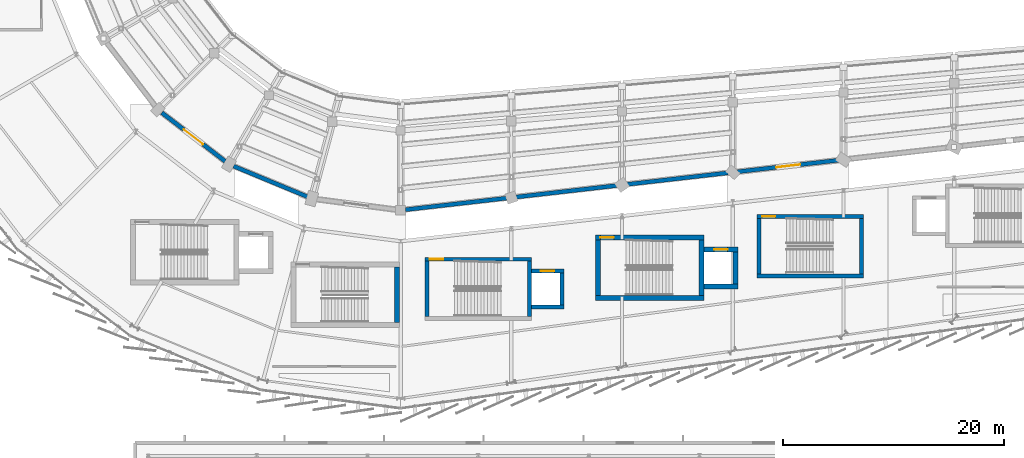
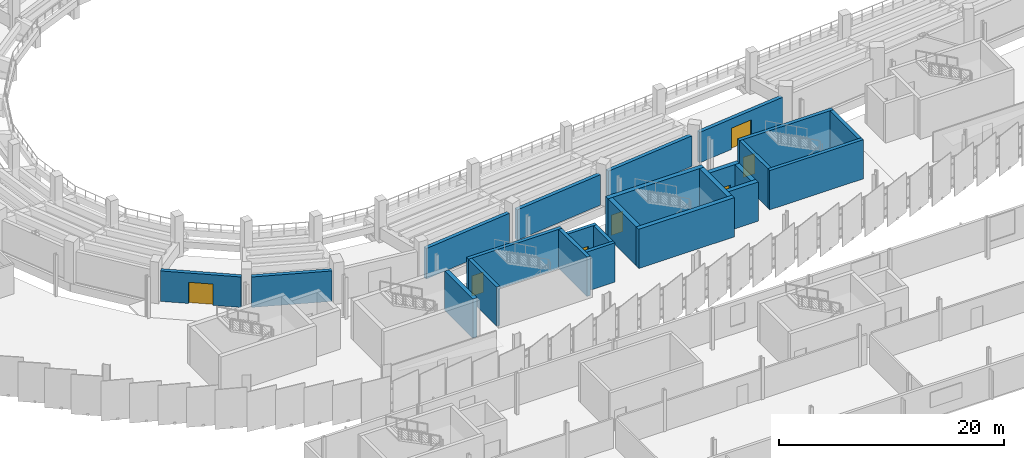
# One storey, part 100 of 120: 24 walls, 7 doors, 7 openings.
"""IFC4 building model written with IfcOpenShell, lengths in metres."""

from ifc_helpers import new_model, si_unit, direction, frame, frame_2d, origin, place, context, subcontext, project, spatial, rectangle, extrude, material, layer, layer_set, type_object, element, fill, save


model = new_model("IFC4")

# Units and contexts
model_context = context("Model", 3, precision=1e-05, world=origin(), true_north=direction((0.0, 1.0)))
body_context = subcontext(model_context, "Body", "Model", "MODEL_VIEW")
ifc_project = project(units=[si_unit("LENGTHUNIT", "METRE"), si_unit("AREAUNIT", "SQUARE_METRE"), si_unit("VOLUMEUNIT", "CUBIC_METRE"), si_unit("PLANEANGLEUNIT", "RADIAN"), si_unit("MASSUNIT", "GRAM", prefix="KILO")], contexts=[model_context])

# Site, building, storey
site_placement = place(None, origin())
site = spatial("IfcSite", under=ifc_project, at=site_placement, CompositionType="ELEMENT")
building_placement = place(site_placement, origin())
building = spatial("IfcBuilding", under=site, at=building_placement, Name="Sohan Crest Arena", CompositionType="ELEMENT")
storey_placement = place(building_placement, frame((0.0, 0.0, 13.5)))
storey = spatial("IfcBuildingStorey", under=building, at=storey_placement, Name="L03", CompositionType="ELEMENT", Elevation=13.5)

# Wall, opening, door
ifc_material_1 = material(Name="Acoustic insulated bowl drum enclosure wall", Category="masonry")
ifc_layer_1 = layer(ifc_material_1, 0.3701171875, Name="Acoustic insulated bowl drum enclosure wall")
ifc_layer_set_1 = layer_set([ifc_layer_1], Name="Acoustic insulated bowl drum enclosure wall")
wall_type_1 = type_object("IfcWallType", Name="WAL-EW05", PredefinedType="SOLIDWALL", material=ifc_layer_set_1)
wall_1_placement = place(storey_placement, frame((76.428955078125, 55.81201171875, 0.0), z_axis=(0.0, 0.0, 1.0), x_axis=(0.793318070515, -0.608807390719, 0.0)))
wall_1 = element("IfcWall", 1, at=wall_1_placement, inside=storey, type_object=wall_type_1, Name="Acoustic bowl drum wall BW-L03-10", PredefinedType="SOLIDWALL", context=body_context, shape_type="SweptSolid", body=[
    extrude(rectangle(XDim=7.212646484375, YDim=0.3701171875, at=frame_2d((3.6064453125, 0.0))), origin(), (0.0, 0.0, 1.0), 3.300048828125),
])
opening_1_placement = place(wall_1_placement, frame((2.506103515625, 0.0, 0.0)))
opening_1 = element("IfcOpeningElement", 2, at=opening_1_placement, cuts=wall_1, Name="Opening VD-L03-10", PredefinedType="OPENING", context=body_context, shape_type="SweptSolid", body=[
    extrude(rectangle(XDim=2.199951171875, YDim=2.300048828125, at=frame_2d((1.10009765625, 1.14990234375))), frame((0.0, 0.195068359375, 0.0), z_axis=(0.0, -1.0, 0.0), x_axis=(1.0, 0.0, 0.0)), (0.0, 0.0, 1.0), 0.39013671875),
])
ifc_material_2 = material(Name="Fire-rated steel double escape door", Category="steel")
door_type_1 = type_object("IfcDoorType", Name="DR-FD01", OperationType="DOUBLE_DOOR_SINGLE_SWING", PredefinedType="DOOR", material=ifc_material_2)
door_1_placement = place(opening_1_placement, origin())
door_1 = element("IfcDoor", 3, at=door_1_placement, inside=storey, type_object=door_type_1, Name="Bowl vomitory portal fire door VD-L03-10", OperationType="DOUBLE_DOOR_SINGLE_SWING", OverallHeight=2.300048828125, OverallWidth=2.199951171875, PredefinedType="DOOR", context=body_context, shape_type="SweptSolid", body=[
    extrude(rectangle(XDim=2.199951171875, YDim=2.300048828125, at=frame_2d((1.10009765625, 1.14990234375))), frame((0.0, 0.02490234375, 0.0), z_axis=(0.0, -1.0, 0.0), x_axis=(1.0, 0.0, 0.0)), (0.0, 0.0, 1.0), 0.050048828125),
])
fill(opening_1, door_1)

# Walls
wall_2_placement = place(storey_placement, frame((82.906982421875, 50.985107421875, 0.0), z_axis=(0.0, 0.0, 1.0), x_axis=(0.923828261086, -0.382807189089, 0.0)))
element("IfcWall", 4, at=wall_2_placement, inside=storey, type_object=wall_type_1, Name="Acoustic bowl drum wall BW-L03-11", PredefinedType="SOLIDWALL", context=body_context, shape_type="SweptSolid", body=[
    extrude(rectangle(XDim=7.21240234375, YDim=0.3701171875, at=frame_2d((3.606201171875, 0.0))), origin(), (0.0, 0.0, 1.0), 3.300048828125),
])
for number, where, z_axis, x_axis, name in (
    (5, (98.43701171875, 47.050048828125, 0.0), (0.0, 0.0, 1.0), (0.993532672656, 0.113546591161, 0.0), "Acoustic bowl drum wall BW-L03-13"),
    (6, (108.43701171875, 48.193115234375, 0.0), (0.0, 0.0, 1.0), (0.993532672656, 0.113546591161, 0.0), "Acoustic bowl drum wall BW-L03-14"),
    (7, (118.43701171875, 49.3359375, 0.0), (0.0, 0.0, 1.0), (0.993532672656, 0.113546591161, 0.0), "Acoustic bowl drum wall BW-L03-15"),
):
    element("IfcWall", number, at=place(storey_placement, frame(where, z_axis=z_axis, x_axis=x_axis)), inside=storey, type_object=wall_type_1, Name=name, PredefinedType="SOLIDWALL", context=body_context, shape_type="SweptSolid", body=[
        extrude(rectangle(XDim=9.185302734375, YDim=0.3701171875, at=frame_2d((4.5927734375, 0.0))), origin(), (0.0, 0.0, 1.0), 3.300048828125),
    ])

# Wall, opening, door
wall_3_placement = place(storey_placement, frame((128.43701171875, 50.47900390625, 0.0), z_axis=(0.0, 0.0, 1.0), x_axis=(0.993544661122, 0.113441642955, 0.0)))
wall_3 = element("IfcWall", 8, at=wall_3_placement, inside=storey, type_object=wall_type_1, Name="Acoustic bowl drum wall BW-L03-16", PredefinedType="SOLIDWALL", context=body_context, shape_type="SweptSolid", body=[
    extrude(rectangle(XDim=9.185302734375, YDim=0.3701171875, at=frame_2d((4.5927734375, 0.0))), origin(), (0.0, 0.0, 1.0), 3.300048828125),
])
opening_2_placement = place(wall_3_placement, frame((3.492919921875, 0.0, 0.0)))
opening_2 = element("IfcOpeningElement", 9, at=opening_2_placement, cuts=wall_3, Name="Opening VD-L03-16", PredefinedType="OPENING", context=body_context, shape_type="SweptSolid", body=[
    extrude(rectangle(XDim=2.199951171875, YDim=2.300048828125, at=frame_2d((1.10009765625, 1.14990234375))), frame((0.0, 0.195068359375, 0.0), z_axis=(0.0, -1.0, 0.0), x_axis=(1.0, 0.0, 0.0)), (0.0, 0.0, 1.0), 0.39013671875),
])
door_2_placement = place(opening_2_placement, origin())
door_2 = element("IfcDoor", 10, at=door_2_placement, inside=storey, type_object=door_type_1, Name="Bowl vomitory portal fire door VD-L03-16", OperationType="DOUBLE_DOOR_SINGLE_SWING", OverallHeight=2.300048828125, OverallWidth=2.199951171875, PredefinedType="DOOR", context=body_context, shape_type="SweptSolid", body=[
    extrude(rectangle(XDim=2.199951171875, YDim=2.300048828125, at=frame_2d((1.10009765625, 1.14990234375))), frame((0.0, 0.02490234375, 0.0), z_axis=(0.0, -1.0, 0.0), x_axis=(1.0, 0.0, 0.0)), (0.0, 0.0, 1.0), 0.050048828125),
])
fill(opening_2, door_2)

# Walls
ifc_material_3 = material(Name="Concrete C40/50", Category="concrete")
ifc_layer_2 = layer(ifc_material_3, 0.35009765625, Name="Concrete C40/50")
ifc_layer_set_2 = layer_set([ifc_layer_2], Name="Concrete C40/50")
wall_type_2 = type_object("IfcWallType", Name="WAL-SW02", PredefinedType="SHEAR", material=ifc_layer_set_2)
for number, where, z_axis, x_axis, name in (
    (11, (100.375, 37.39990234375, 0.0), (0.0, 0.0, 1.0), (0.0, 1.0, 0.0), "Core shear wall SW-0264"),
    (12, (109.625, 37.39990234375, 0.0), (0.0, 0.0, 1.0), (0.0, 1.0, 0.0), "Core shear wall SW-0265"),
):
    element("IfcWall", number, at=place(storey_placement, frame(where, z_axis=z_axis, x_axis=x_axis)), inside=storey, type_object=wall_type_2, Name=name, PredefinedType="SHEAR", context=body_context, shape_type="SweptSolid", body=[
        extrude(rectangle(XDim=5.0, YDim=0.35009765625, at=frame_2d((2.5, 0.0))), origin(), (0.0, 0.0, 1.0), 4.25),
    ])

# Wall, opening, door
wall_4_placement = place(storey_placement, frame((100.199951171875, 42.574951171875, 0.0), z_axis=(0.0, 0.0, 1.0), x_axis=(1.0, 0.0, 0.0)))
wall_4 = element("IfcWall", 13, at=wall_4_placement, inside=storey, type_object=wall_type_2, Name="Core shear wall SW-0267", PredefinedType="SHEAR", context=body_context, shape_type="SweptSolid", body=[
    extrude(rectangle(XDim=9.60009765625, YDim=0.35009765625, at=frame_2d((4.800048828125, 0.0))), origin(), (0.0, 0.0, 1.0), 4.25),
])
opening_3_placement = place(wall_4_placement, frame((0.449951171875, 0.0, 0.0)))
opening_3 = element("IfcOpeningElement", 14, at=opening_3_placement, cuts=wall_4, Name="Opening SD-0077", PredefinedType="OPENING", context=body_context, shape_type="SweptSolid", body=[
    extrude(rectangle(XDim=1.199951171875, YDim=2.199951171875, at=frame_2d((0.60009765625, 1.10009765625))), frame((0.0, 0.18505859375, 0.0), z_axis=(0.0, -1.0, 0.0), x_axis=(1.0, 0.0, 0.0)), (0.0, 0.0, 1.0), 0.3701171875),
])
ifc_material_4 = material(Name="Fire-rated steel stair and lobby door", Category="steel")
door_type_2 = type_object("IfcDoorType", Name="DR-FD04", OperationType="NOTDEFINED", PredefinedType="DOOR", material=ifc_material_4)
door_3_placement = place(opening_3_placement, origin())
door_3 = element("IfcDoor", 15, at=door_3_placement, inside=storey, type_object=door_type_2, Name="Protected stair door SD-0077", OperationType="SINGLE_SWING_RIGHT", OverallHeight=2.199951171875, OverallWidth=1.199951171875, PredefinedType="DOOR", context=body_context, shape_type="SweptSolid", body=[
    extrude(rectangle(XDim=1.199951171875, YDim=2.199951171875, at=frame_2d((0.60009765625, 1.10009765625))), frame((0.0, 0.02490234375, 0.0), z_axis=(0.0, -1.0, 0.0), x_axis=(1.0, 0.0, 0.0)), (0.0, 0.0, 1.0), 0.050048828125),
])
fill(opening_3, door_3)

# Walls
wall_5_placement = place(storey_placement, frame((112.574951171875, 38.449951171875, 0.0), z_axis=(0.0, 0.0, 1.0), x_axis=(0.0, 1.0, 0.0)))
element("IfcWall", 16, at=wall_5_placement, inside=storey, type_object=wall_type_2, Name="Core shear wall SW-0268", PredefinedType="SHEAR", context=body_context, shape_type="SweptSolid", body=[
    extrude(rectangle(XDim=2.900146484375, YDim=0.35009765625, at=frame_2d((1.4501953125, 0.0))), origin(), (0.0, 0.0, 1.0), 4.25),
])
wall_6_placement = place(storey_placement, frame((109.800048828125, 38.27490234375, 0.0), z_axis=(0.0, 0.0, 1.0), x_axis=(1.0, 0.0, 0.0)))
element("IfcWall", 17, at=wall_6_placement, inside=storey, type_object=wall_type_2, Name="Core shear wall SW-0269", PredefinedType="SHEAR", context=body_context, shape_type="SweptSolid", body=[
    extrude(rectangle(XDim=2.949951171875, YDim=0.35009765625, at=frame_2d((1.47509765625, 0.0))), origin(), (0.0, 0.0, 1.0), 4.25),
])

# Wall, opening, door
wall_7_placement = place(storey_placement, frame((109.800048828125, 41.52490234375, 0.0), z_axis=(0.0, 0.0, 1.0), x_axis=(1.0, 0.0, 0.0)))
wall_7 = element("IfcWall", 18, at=wall_7_placement, inside=storey, type_object=wall_type_2, Name="Core shear wall SW-0270", PredefinedType="SHEAR", context=body_context, shape_type="SweptSolid", body=[
    extrude(rectangle(XDim=2.949951171875, YDim=0.35009765625, at=frame_2d((1.47509765625, 0.0))), origin(), (0.0, 0.0, 1.0), 4.25),
])
opening_4_placement = place(wall_7_placement, frame((0.875, 0.0, 0.0)))
opening_4 = element("IfcOpeningElement", 19, at=opening_4_placement, cuts=wall_7, Name="Opening LD-LP03-L03", PredefinedType="OPENING", context=body_context, shape_type="SweptSolid", body=[
    extrude(rectangle(XDim=1.199951171875, YDim=2.199951171875, at=frame_2d((0.60009765625, 1.10009765625))), frame((0.0, 0.18505859375, 0.0), z_axis=(0.0, -1.0, 0.0), x_axis=(1.0, 0.0, 0.0)), (0.0, 0.0, 1.0), 0.3701171875),
])
ifc_material_5 = material(Name="Stainless steel passenger lift landing door", Category="steel")
door_type_3 = type_object("IfcDoorType", Name="DR-LD02", OperationType="SLIDING_TO_LEFT", PredefinedType="DOOR", material=ifc_material_5)
door_4_placement = place(opening_4_placement, origin())
door_4 = element("IfcDoor", 20, at=door_4_placement, inside=storey, type_object=door_type_3, Name="Sliding lift landing door LD-LP03-L03", OperationType="SLIDING_TO_LEFT", OverallHeight=2.199951171875, OverallWidth=1.199951171875, PredefinedType="DOOR", context=body_context, shape_type="SweptSolid", body=[
    extrude(rectangle(XDim=1.199951171875, YDim=2.199951171875, at=frame_2d((0.60009765625, 1.10009765625))), frame((0.0, 0.02490234375, 0.0), z_axis=(0.0, -1.0, 0.0), x_axis=(1.0, 0.0, 0.0)), (0.0, 0.0, 1.0), 0.050048828125),
])
fill(opening_4, door_4)

# Walls
for number, where, z_axis, x_axis, name in (
    (21, (130.375, 41.25, 0.0), (0.0, 0.0, 1.0), (0.0, 1.0, 0.0), "Core shear wall SW-0797"),
    (22, (139.625, 41.25, 0.0), (0.0, 0.0, 1.0), (0.0, 1.0, 0.0), "Core shear wall SW-0798"),
):
    element("IfcWall", number, at=place(storey_placement, frame(where, z_axis=z_axis, x_axis=x_axis)), inside=storey, type_object=wall_type_2, Name=name, PredefinedType="SHEAR", context=body_context, shape_type="SweptSolid", body=[
        extrude(rectangle(XDim=5.0, YDim=0.35009765625, at=frame_2d((2.5, 0.0))), origin(), (0.0, 0.0, 1.0), 4.25),
    ])
wall_8_placement = place(storey_placement, frame((130.199951171875, 41.074951171875, 0.0), z_axis=(0.0, 0.0, 1.0), x_axis=(1.0, 0.0, 0.0)))
element("IfcWall", 23, at=wall_8_placement, inside=storey, type_object=wall_type_2, Name="Core shear wall SW-0799", PredefinedType="SHEAR", context=body_context, shape_type="SweptSolid", body=[
    extrude(rectangle(XDim=9.60009765625, YDim=0.35009765625, at=frame_2d((4.800048828125, 0.0))), origin(), (0.0, 0.0, 1.0), 4.25),
])

# Wall, opening, door
wall_9_placement = place(storey_placement, frame((130.199951171875, 46.425048828125, 0.0), z_axis=(0.0, 0.0, 1.0), x_axis=(1.0, 0.0, 0.0)))
wall_9 = element("IfcWall", 24, at=wall_9_placement, inside=storey, type_object=wall_type_2, Name="Core shear wall SW-0800", PredefinedType="SHEAR", context=body_context, shape_type="SweptSolid", body=[
    extrude(rectangle(XDim=9.60009765625, YDim=0.35009765625, at=frame_2d((4.800048828125, 0.0))), origin(), (0.0, 0.0, 1.0), 4.25),
])
opening_5_placement = place(wall_9_placement, frame((0.449951171875, 0.0, 0.0)))
opening_5 = element("IfcOpeningElement", 25, at=opening_5_placement, cuts=wall_9, Name="Opening SD-0215", PredefinedType="OPENING", context=body_context, shape_type="SweptSolid", body=[
    extrude(rectangle(XDim=1.199951171875, YDim=2.199951171875, at=frame_2d((0.60009765625, 1.10009765625))), frame((0.0, 0.18505859375, 0.0), z_axis=(0.0, -1.0, 0.0), x_axis=(1.0, 0.0, 0.0)), (0.0, 0.0, 1.0), 0.3701171875),
])
door_5_placement = place(opening_5_placement, origin())
door_5 = element("IfcDoor", 26, at=door_5_placement, inside=storey, type_object=door_type_2, Name="Protected stair door SD-0215", OperationType="SINGLE_SWING_LEFT", OverallHeight=2.199951171875, OverallWidth=1.199951171875, PredefinedType="DOOR", context=body_context, shape_type="SweptSolid", body=[
    extrude(rectangle(XDim=1.199951171875, YDim=2.199951171875, at=frame_2d((0.60009765625, 1.10009765625))), frame((0.0, 0.02490234375, 0.0), z_axis=(0.0, -1.0, 0.0), x_axis=(1.0, 0.0, 0.0)), (0.0, 0.0, 1.0), 0.050048828125),
])
fill(opening_5, door_5)

# Walls
ifc_layer_3 = layer(ifc_material_3, 0.449951171875, Name="Concrete C40/50")
ifc_layer_set_3 = layer_set([ifc_layer_3], Name="Concrete C40/50")
wall_type_3 = type_object("IfcWallType", Name="WAL-SW04", PredefinedType="SHEAR", material=ifc_layer_set_3)
for number, where, z_axis, x_axis, name in (
    (27, (115.824951171875, 39.300048828125, 0.0), (0.0, 0.0, 1.0), (0.0, 1.0, 0.0), "Core shear wall SW-0356"),
    (28, (125.175048828125, 39.300048828125, 0.0), (0.0, 0.0, 1.0), (0.0, 1.0, 0.0), "Core shear wall SW-0357"),
):
    element("IfcWall", number, at=place(storey_placement, frame(where, z_axis=z_axis, x_axis=x_axis)), inside=storey, type_object=wall_type_3, Name=name, PredefinedType="SHEAR", context=body_context, shape_type="SweptSolid", body=[
        extrude(rectangle(XDim=5.0, YDim=0.449951171875, at=frame_2d((2.5, 0.0))), origin(), (0.0, 0.0, 1.0), 4.25),
    ])
wall_10_placement = place(storey_placement, frame((115.60009765625, 39.074951171875, 0.0), z_axis=(0.0, 0.0, 1.0), x_axis=(1.0, 0.0, 0.0)))
element("IfcWall", 29, at=wall_10_placement, inside=storey, type_object=wall_type_3, Name="Core shear wall SW-0358", PredefinedType="SHEAR", context=body_context, shape_type="SweptSolid", body=[
    extrude(rectangle(XDim=9.7998046875, YDim=0.449951171875, at=frame_2d((4.89990234375, 0.0))), origin(), (0.0, 0.0, 1.0), 4.25),
])

# Wall, opening, door
wall_11_placement = place(storey_placement, frame((115.60009765625, 44.52490234375, 0.0), z_axis=(0.0, 0.0, 1.0), x_axis=(1.0, 0.0, 0.0)))
wall_11 = element("IfcWall", 30, at=wall_11_placement, inside=storey, type_object=wall_type_3, Name="Core shear wall SW-0359", PredefinedType="SHEAR", context=body_context, shape_type="SweptSolid", body=[
    extrude(rectangle(XDim=9.7998046875, YDim=0.449951171875, at=frame_2d((4.89990234375, 0.0))), origin(), (0.0, 0.0, 1.0), 4.25),
])
opening_6_placement = place(wall_11_placement, frame((0.449951171875, 0.0, 0.0)))
opening_6 = element("IfcOpeningElement", 31, at=opening_6_placement, cuts=wall_11, Name="Opening SD-0101", PredefinedType="OPENING", context=body_context, shape_type="SweptSolid", body=[
    extrude(rectangle(XDim=1.199951171875, YDim=2.199951171875, at=frame_2d((0.60009765625, 1.10009765625))), frame((0.0, 0.23486328125, 0.0), z_axis=(0.0, -1.0, 0.0), x_axis=(1.0, 0.0, 0.0)), (0.0, 0.0, 1.0), 0.469970703125),
])
door_6_placement = place(opening_6_placement, origin())
door_6 = element("IfcDoor", 32, at=door_6_placement, inside=storey, type_object=door_type_2, Name="Protected stair door SD-0101", OperationType="SINGLE_SWING_RIGHT", OverallHeight=2.199951171875, OverallWidth=1.199951171875, PredefinedType="DOOR", context=body_context, shape_type="SweptSolid", body=[
    extrude(rectangle(XDim=1.199951171875, YDim=2.199951171875, at=frame_2d((0.60009765625, 1.10009765625))), frame((0.0, 0.02490234375, 0.0), z_axis=(0.0, -1.0, 0.0), x_axis=(1.0, 0.0, 0.0)), (0.0, 0.0, 1.0), 0.050048828125),
])
fill(opening_6, door_6)

# Walls
wall_12_placement = place(storey_placement, frame((128.22509765625, 40.35009765625, 0.0), z_axis=(0.0, 0.0, 1.0), x_axis=(0.0, 1.0, 0.0)))
element("IfcWall", 33, at=wall_12_placement, inside=storey, type_object=wall_type_3, Name="Core shear wall SW-0360", PredefinedType="SHEAR", context=body_context, shape_type="SweptSolid", body=[
    extrude(rectangle(XDim=2.89990234375, YDim=0.449951171875, at=frame_2d((1.449951171875, 0.0))), origin(), (0.0, 0.0, 1.0), 4.25),
])
wall_13_placement = place(storey_placement, frame((125.39990234375, 40.125, 0.0), z_axis=(0.0, 0.0, 1.0), x_axis=(1.0, 0.0, 0.0)))
element("IfcWall", 34, at=wall_13_placement, inside=storey, type_object=wall_type_3, Name="Core shear wall SW-0361", PredefinedType="SHEAR", context=body_context, shape_type="SweptSolid", body=[
    extrude(rectangle(XDim=3.050048828125, YDim=0.449951171875, at=frame_2d((1.52490234375, 0.0))), origin(), (0.0, 0.0, 1.0), 4.25),
])

# Wall, opening, door
wall_14_placement = place(storey_placement, frame((125.39990234375, 43.47509765625, 0.0), z_axis=(0.0, 0.0, 1.0), x_axis=(1.0, 0.0, 0.0)))
wall_14 = element("IfcWall", 35, at=wall_14_placement, inside=storey, type_object=wall_type_3, Name="Core shear wall SW-0362", PredefinedType="SHEAR", context=body_context, shape_type="SweptSolid", body=[
    extrude(rectangle(XDim=3.050048828125, YDim=0.449951171875, at=frame_2d((1.52490234375, 0.0))), origin(), (0.0, 0.0, 1.0), 4.25),
])
opening_7_placement = place(wall_14_placement, frame((0.925048828125, 0.0, 0.0)))
opening_7 = element("IfcOpeningElement", 36, at=opening_7_placement, cuts=wall_14, Name="Opening LD-LP05-L03", PredefinedType="OPENING", context=body_context, shape_type="SweptSolid", body=[
    extrude(rectangle(XDim=1.199951171875, YDim=2.199951171875, at=frame_2d((0.60009765625, 1.10009765625))), frame((0.0, 0.23486328125, 0.0), z_axis=(0.0, -1.0, 0.0), x_axis=(1.0, 0.0, 0.0)), (0.0, 0.0, 1.0), 0.469970703125),
])
door_7_placement = place(opening_7_placement, origin())
door_7 = element("IfcDoor", 37, at=door_7_placement, inside=storey, type_object=door_type_3, Name="Sliding lift landing door LD-LP05-L03", OperationType="SLIDING_TO_LEFT", OverallHeight=2.199951171875, OverallWidth=1.199951171875, PredefinedType="DOOR", context=body_context, shape_type="SweptSolid", body=[
    extrude(rectangle(XDim=1.199951171875, YDim=2.199951171875, at=frame_2d((0.60009765625, 1.10009765625))), frame((0.0, 0.02490234375, 0.0), z_axis=(0.0, -1.0, 0.0), x_axis=(1.0, 0.0, 0.0)), (0.0, 0.0, 1.0), 0.050048828125),
])
fill(opening_7, door_7)

# Wall
wall_15_placement = place(storey_placement, frame((97.675048828125, 36.860107421875, 0.0), z_axis=(0.0, 0.0, 1.0), x_axis=(0.0, 1.0, 0.0)))
element("IfcWall", 38, at=wall_15_placement, inside=storey, type_object=wall_type_3, Name="Core shear wall SW-0750", PredefinedType="SHEAR", context=body_context, shape_type="SweptSolid", body=[
    extrude(rectangle(XDim=5.0, YDim=0.449951171875, at=frame_2d((2.5, 0.0))), origin(), (0.0, 0.0, 1.0), 4.25),
])

save(model, "model.ifc")
